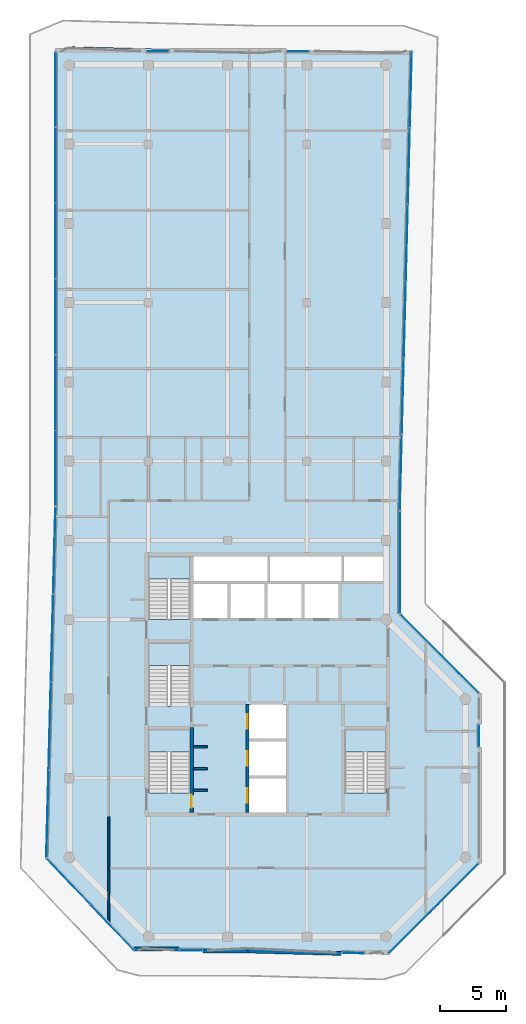
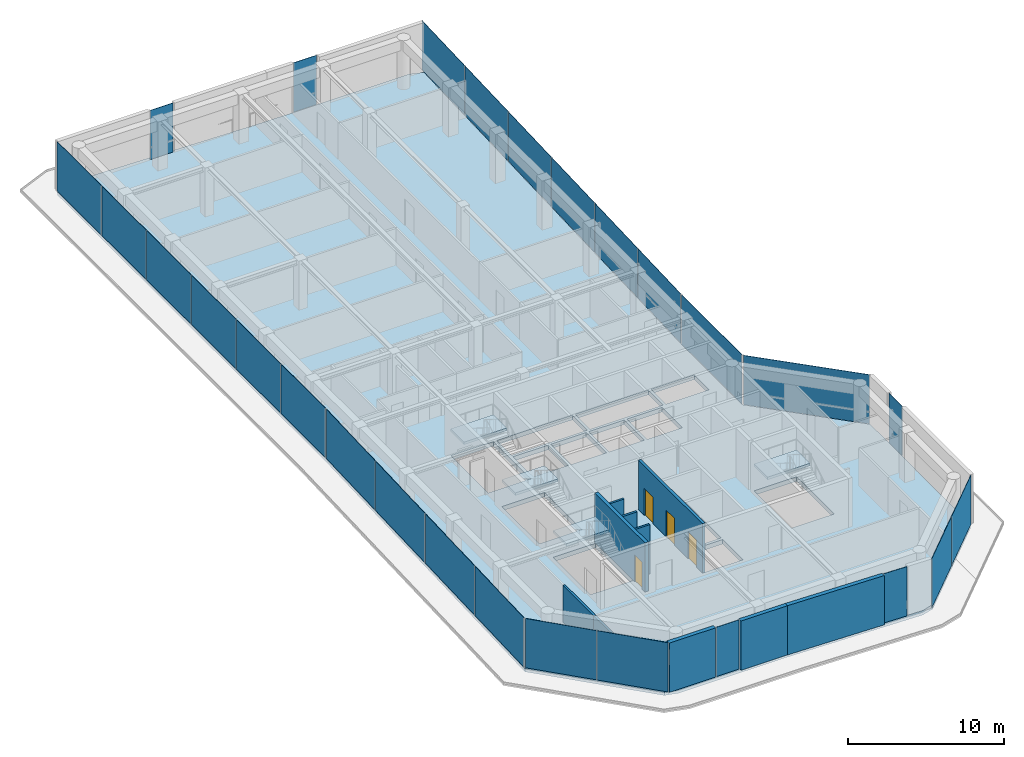
# One storey, part 13 of 18: 27 plates, 10 walls, 5 slabs, 4 doors, 4 openings, 16 elements without a shape of their own.
"""IFC4 building model written with IfcOpenShell, lengths in metres."""

from ifc_helpers import new_model, si_unit, direction, frame, frame_2d, origin, origin_2d, place, context, subcontext, project, spatial, polyline, rectangle, outline, extrude, material, layer, layer_set, type_object, element, fill, aggregate, save


model = new_model("IFC4")

# Units and contexts
model_context = context("Model", 3, precision=1e-05, world=origin(), true_north=direction((0.0, 1.0)))
body_context = subcontext(model_context, "Body", "Model", "MODEL_VIEW")
ifc_project = project(units=[si_unit("LENGTHUNIT", "METRE"), si_unit("AREAUNIT", "SQUARE_METRE"), si_unit("VOLUMEUNIT", "CUBIC_METRE"), si_unit("PLANEANGLEUNIT", "RADIAN"), si_unit("MASSUNIT", "GRAM", prefix="KILO")], contexts=[model_context])

# Site, building, storey
site_placement = place(None, origin())
site = spatial("IfcSite", under=ifc_project, at=site_placement, CompositionType="ELEMENT")
building_placement = place(site_placement, origin())
building = spatial("IfcBuilding", under=site, at=building_placement, Name="Welwitschia Terrace Campus", CompositionType="ELEMENT")
storey_placement = place(building_placement, frame((0.0, 0.0, 281.0)))
storey = spatial("IfcBuildingStorey", under=building, at=storey_placement, Name="L62", CompositionType="ELEMENT", Elevation=281.0)

# Curtain wall, plates
ifc_material_1 = material(Name="Bronze anodised aluminium", Category="aluminium")
ifc_layer_1 = layer(ifc_material_1, 0.1201171875)
ifc_layer_set_1 = layer_set([ifc_layer_1], Name="Bronze anodised aluminium")
curtain_wall_type = type_object("IfcCurtainWallType", Name="Curtain wall CW2 tower 6000", PredefinedType="NOTDEFINED", material=ifc_layer_set_1)
curtain_wall_1_placement = place(storey_placement, origin())
curtain_wall_1 = element("IfcCurtainWall", 1, at=curtain_wall_1_placement, inside=storey, type_object=curtain_wall_type, Name="CW L62.0.0", PredefinedType="NOTDEFINED")
ifc_material_2 = material(Name="Tinted bronze-grey glass", Category="glass")
ifc_layer_2 = layer(ifc_material_2, 0.028076171875)
ifc_layer_set_2 = layer_set([ifc_layer_2], Name="Tinted bronze-grey glass")
plate_type = type_object("IfcPlateType", Name="Glass panel 28 tinted", PredefinedType="CURTAIN_PANEL", material=ifc_layer_set_2)
plate_1_placement = place(storey_placement, frame((-1.030029296875, 60.13525390625, 0.0), z_axis=(0.0, 0.0, 1.0), x_axis=(0.0, -1.0, 0.0)))
plate_1 = element("IfcPlate", 2, at=plate_1_placement, type_object=plate_type, Name="Panel L62.0.0.0", PredefinedType="CURTAIN_PANEL", context=body_context, shape_type="SweptSolid", body=[
    extrude(rectangle(XDim=5.649169921875, YDim=0.028076171875, at=origin_2d()), origin(), (0.0, 0.0, 1.0), 3.85009765625),
])
plate_2_placement = place(storey_placement, frame((-1.030029296875, 54.4111328125, 0.0), z_axis=(0.0, 0.0, 1.0), x_axis=(0.0, -1.0, 0.0)))
plate_2 = element("IfcPlate", 3, at=plate_2_placement, type_object=plate_type, Name="Panel L62.0.0.1", PredefinedType="CURTAIN_PANEL", context=body_context, shape_type="SweptSolid", body=[
    extrude(rectangle(XDim=5.67919921875, YDim=0.028076171875, at=origin_2d()), origin(), (0.0, 0.0, 1.0), 3.85009765625),
])
plate_3_placement = place(storey_placement, frame((-1.030029296875, 48.671875, 0.0), z_axis=(0.0, 0.0, 1.0), x_axis=(0.0, -1.0, 0.0)))
plate_3 = element("IfcPlate", 4, at=plate_3_placement, type_object=plate_type, Name="Panel L62.0.0.2", PredefinedType="CURTAIN_PANEL", context=body_context, shape_type="SweptSolid", body=[
    extrude(rectangle(XDim=5.67919921875, YDim=0.028076171875, at=origin_2d()), origin(), (0.0, 0.0, 1.0), 3.85009765625),
])
plate_4_placement = place(storey_placement, frame((-1.030029296875, 42.9326171875, 0.0), z_axis=(0.0, 0.0, 1.0), x_axis=(0.0, -1.0, 0.0)))
plate_4 = element("IfcPlate", 5, at=plate_4_placement, type_object=plate_type, Name="Panel L62.0.0.3", PredefinedType="CURTAIN_PANEL", context=body_context, shape_type="SweptSolid", body=[
    extrude(rectangle(XDim=5.67919921875, YDim=0.028076171875, at=origin_2d()), origin(), (0.0, 0.0, 1.0), 3.85009765625),
])
plate_5_placement = place(storey_placement, frame((-1.030029296875, 37.193359375, 0.0), z_axis=(0.0, 0.0, 1.0), x_axis=(0.0, -1.0, 0.0)))
plate_5 = element("IfcPlate", 6, at=plate_5_placement, type_object=plate_type, Name="Panel L62.0.0.4", PredefinedType="CURTAIN_PANEL", context=body_context, shape_type="SweptSolid", body=[
    extrude(rectangle(XDim=5.67919921875, YDim=0.028076171875, at=origin_2d()), origin(), (0.0, 0.0, 1.0), 3.85009765625),
])
plate_6_placement = place(storey_placement, frame((-1.030029296875, 31.46923828125, 0.0), z_axis=(0.0, 0.0, 1.0), x_axis=(0.0, -1.0, 0.0)))
plate_6 = element("IfcPlate", 7, at=plate_6_placement, type_object=plate_type, Name="Panel L62.0.0.5", PredefinedType="CURTAIN_PANEL", context=body_context, shape_type="SweptSolid", body=[
    extrude(rectangle(XDim=5.649169921875, YDim=0.028076171875, at=origin_2d()), origin(), (0.0, 0.0, 1.0), 3.85009765625),
])
aggregate(curtain_wall_1, [plate_1, plate_2, plate_3, plate_4, plate_5, plate_6])

curtain_wall_2_placement = place(storey_placement, origin())
curtain_wall_2 = element("IfcCurtainWall", 8, at=curtain_wall_2_placement, inside=storey, type_object=curtain_wall_type, Name="CW L62.1.0", PredefinedType="NOTDEFINED")
plate_7_placement = place(storey_placement, frame((-1.117431640625, 25.243408203125, 0.0), z_axis=(0.0, 0.0, 1.0), x_axis=(-0.026176948308, -0.999657324976, 0.0)))
plate_7 = element("IfcPlate", 9, at=plate_7_placement, type_object=plate_type, Name="Panel L62.1.0.0", PredefinedType="CURTAIN_PANEL", context=body_context, shape_type="SweptSolid", body=[
    extrude(rectangle(XDim=6.564697265625, YDim=0.028076171875, at=origin_2d()), origin(), (0.0, 0.0, 1.0), 3.85009765625),
])
plate_8_placement = place(storey_placement, frame((-1.291259765625, 18.60595703125, 0.0), z_axis=(0.0, 0.0, 1.0), x_axis=(-0.026176948308, -0.999657324976, 0.0)))
plate_8 = element("IfcPlate", 10, at=plate_8_placement, type_object=plate_type, Name="Panel L62.1.0.1", PredefinedType="CURTAIN_PANEL", context=body_context, shape_type="SweptSolid", body=[
    extrude(rectangle(XDim=6.594482421875, YDim=0.028076171875, at=origin_2d()), origin(), (0.0, 0.0, 1.0), 3.85009765625),
])
plate_9_placement = place(storey_placement, frame((-1.465576171875, 11.953857421875, 0.0), z_axis=(0.0, 0.0, 1.0), x_axis=(-0.026176948308, -0.999657324976, 0.0)))
plate_9 = element("IfcPlate", 11, at=plate_9_placement, type_object=plate_type, Name="Panel L62.1.0.2", PredefinedType="CURTAIN_PANEL", context=body_context, shape_type="SweptSolid", body=[
    extrude(rectangle(XDim=6.594482421875, YDim=0.028076171875, at=origin_2d()), origin(), (0.0, 0.0, 1.0), 3.85009765625),
])
plate_10_placement = place(storey_placement, frame((-1.639404296875, 5.31640625, 0.0), z_axis=(0.0, 0.0, 1.0), x_axis=(-0.026176948308, -0.999657324976, 0.0)))
plate_10 = element("IfcPlate", 12, at=plate_10_placement, type_object=plate_type, Name="Panel L62.1.0.3", PredefinedType="CURTAIN_PANEL", context=body_context, shape_type="SweptSolid", body=[
    extrude(rectangle(XDim=6.564697265625, YDim=0.028076171875, at=origin_2d()), origin(), (0.0, 0.0, 1.0), 3.85009765625),
])
aggregate(curtain_wall_2, [plate_7, plate_8, plate_9, plate_10])

curtain_wall_3_placement = place(storey_placement, origin())
curtain_wall_3 = element("IfcCurtainWall", 13, at=curtain_wall_3_placement, inside=storey, type_object=curtain_wall_type, Name="CW L62.2.0", PredefinedType="NOTDEFINED")
plate_11_placement = place(storey_placement, frame((-0.054443359375, 0.213134765625, 0.0), z_axis=(0.0, 0.0, 1.0), x_axis=(0.688354575694, -0.725374371012, 0.0)))
plate_11 = element("IfcPlate", 14, at=plate_11_placement, type_object=plate_type, Name="Panel L62.2.0.0", PredefinedType="CURTAIN_PANEL", context=body_context, shape_type="SweptSolid", body=[
    extrude(rectangle(XDim=4.73876953125, YDim=0.028076171875, at=origin_2d()), origin(), (0.0, 0.0, 1.0), 3.85009765625),
])
plate_12_placement = place(storey_placement, frame((3.248779296875, -3.267822265625, 0.0), z_axis=(0.0, 0.0, 1.0), x_axis=(0.688354575694, -0.725374371012, 0.0)))
plate_12 = element("IfcPlate", 15, at=plate_12_placement, type_object=plate_type, Name="Panel L62.2.0.1", PredefinedType="CURTAIN_PANEL", context=body_context, shape_type="SweptSolid", body=[
    extrude(rectangle(XDim=4.73876953125, YDim=0.028076171875, at=origin_2d()), origin(), (0.0, 0.0, 1.0), 3.85009765625),
])
aggregate(curtain_wall_3, [plate_11, plate_12])

# Curtain wall, plate
curtain_wall_4_placement = place(storey_placement, origin())
curtain_wall_4 = element("IfcCurtainWall", 16, at=curtain_wall_4_placement, inside=storey, type_object=curtain_wall_type, Name="CW L62.3.S0", PredefinedType="NOTDEFINED")
plate_13_placement = place(storey_placement, frame((9.228271484375, -5.030029296875, 0.0), z_axis=(0.0, 0.0, 1.0), x_axis=(1.0, 0.0, 0.0)))
plate_13 = element("IfcPlate", 17, at=plate_13_placement, type_object=plate_type, Name="Panel L62.3.S0.0", PredefinedType="CURTAIN_PANEL", context=body_context, shape_type="SweptSolid", body=[
    extrude(rectangle(XDim=1.679931640625, YDim=0.028076171875, at=origin_2d()), origin(), (0.0, 0.0, 1.0), 3.85009765625),
])
aggregate(curtain_wall_4, [plate_13])

curtain_wall_5_placement = place(storey_placement, origin())
curtain_wall_5 = element("IfcCurtainWall", 18, at=curtain_wall_5_placement, inside=storey, type_object=curtain_wall_type, Name="CW L62.4.S0", PredefinedType="NOTDEFINED")
plate_14_placement = place(storey_placement, frame((21.495361328125, -5.238525390625, 0.0), z_axis=(0.0, 0.0, 1.0), x_axis=(0.999657324976, -0.026176948308, 0.0)))
plate_14 = element("IfcPlate", 19, at=plate_14_placement, type_object=plate_type, Name="Panel L62.4.S0.0", PredefinedType="CURTAIN_PANEL", context=body_context, shape_type="SweptSolid", body=[
    extrude(rectangle(XDim=1.679931640625, YDim=0.028076171875, at=origin_2d()), origin(), (0.0, 0.0, 1.0), 3.85009765625),
])
aggregate(curtain_wall_5, [plate_14])

# Curtain wall, plates
curtain_wall_6_placement = place(storey_placement, origin())
curtain_wall_6 = element("IfcCurtainWall", 20, at=curtain_wall_6_placement, inside=storey, type_object=curtain_wall_type, Name="CW L62.5.0", PredefinedType="NOTDEFINED")
plate_15_placement = place(storey_placement, frame((25.879638671875, -3.576904296875, 0.0), z_axis=(0.0, 0.0, 1.0), x_axis=(0.707106781187, 0.707106781187, 0.0)))
plate_15 = element("IfcPlate", 21, at=plate_15_placement, type_object=plate_type, Name="Panel L62.5.0.0", PredefinedType="CURTAIN_PANEL", context=body_context, shape_type="SweptSolid", body=[
    extrude(rectangle(XDim=4.77587890625, YDim=0.028076171875, at=origin_2d()), origin(), (0.0, 0.0, 1.0), 3.85009765625),
])
plate_16_placement = place(storey_placement, frame((29.299072265625, -0.157470703125, 0.0), z_axis=(0.0, 0.0, 1.0), x_axis=(0.707106781187, 0.707106781187, 0.0)))
plate_16 = element("IfcPlate", 22, at=plate_16_placement, type_object=plate_type, Name="Panel L62.5.0.1", PredefinedType="CURTAIN_PANEL", context=body_context, shape_type="SweptSolid", body=[
    extrude(rectangle(XDim=4.77587890625, YDim=0.028076171875, at=origin_2d()), origin(), (0.0, 0.0, 1.0), 3.85009765625),
])
aggregate(curtain_wall_6, [plate_15, plate_16])

# Curtain wall, plate
curtain_wall_7_placement = place(storey_placement, origin())
curtain_wall_7 = element("IfcCurtainWall", 23, at=curtain_wall_7_placement, inside=storey, type_object=curtain_wall_type, Name="CW L62.6.S0", PredefinedType="NOTDEFINED")
plate_17_placement = place(storey_placement, frame((31.030029296875, 11.21337890625, 0.0), z_axis=(0.0, 0.0, 1.0), x_axis=(0.0, 1.0, 0.0)))
plate_17 = element("IfcPlate", 24, at=plate_17_placement, type_object=plate_type, Name="Panel L62.6.S0.0", PredefinedType="CURTAIN_PANEL", context=body_context, shape_type="SweptSolid", body=[
    extrude(rectangle(XDim=1.679931640625, YDim=0.028076171875, at=origin_2d()), origin(), (0.0, 0.0, 1.0), 3.85009765625),
])
aggregate(curtain_wall_7, [plate_17])

curtain_wall_8_placement = place(storey_placement, origin())
curtain_wall_8 = element("IfcCurtainWall", 25, at=curtain_wall_8_placement, inside=storey, type_object=curtain_wall_type, Name="CW L62.7.0", PredefinedType="NOTDEFINED")
plate_18_placement = place(storey_placement, frame((28.030029296875, 17.4267578125, 0.0), z_axis=(0.0, 0.0, 1.0), x_axis=(-0.707106781187, 0.707106781187, 0.0)))
plate_18 = element("IfcPlate", 26, at=plate_18_placement, type_object=plate_type, Name="Panel L62.7.0.0", PredefinedType="CURTAIN_PANEL", context=body_context, shape_type="SweptSolid", body=[
    extrude(rectangle(XDim=8.365234375, YDim=0.028076171875, at=origin_2d()), origin(), (0.0, 0.0, 1.0), 3.85009765625),
])
aggregate(curtain_wall_8, [plate_18])

curtain_wall_9_placement = place(storey_placement, origin())
curtain_wall_9 = element("IfcCurtainWall", 27, at=curtain_wall_9_placement, inside=storey, type_object=curtain_wall_type, Name="CW L62.8.0", PredefinedType="NOTDEFINED")
plate_19_placement = place(storey_placement, frame((25.030029296875, 24.3349609375, 0.0), z_axis=(0.0, 0.0, 1.0), x_axis=(0.0, 1.0, 0.0)))
plate_19 = element("IfcPlate", 28, at=plate_19_placement, type_object=plate_type, Name="Panel L62.8.0.0", PredefinedType="CURTAIN_PANEL", context=body_context, shape_type="SweptSolid", body=[
    extrude(rectangle(XDim=7.69677734375, YDim=0.028076171875, at=origin_2d()), origin(), (0.0, 0.0, 1.0), 3.85009765625),
])
aggregate(curtain_wall_9, [plate_19])

# Curtain wall, plates
curtain_wall_10_placement = place(storey_placement, origin())
curtain_wall_10 = element("IfcCurtainWall", 29, at=curtain_wall_10_placement, inside=storey, type_object=curtain_wall_type, Name="CW L62.9.0", PredefinedType="NOTDEFINED")
plate_20_placement = place(storey_placement, frame((25.106201171875, 31.1572265625, 0.0), z_axis=(0.0, 0.0, 1.0), x_axis=(0.026176948308, 0.999657324976, 0.0)))
plate_20 = element("IfcPlate", 30, at=plate_20_placement, type_object=plate_type, Name="Panel L62.9.0.0", PredefinedType="CURTAIN_PANEL", context=body_context, shape_type="SweptSolid", body=[
    extrude(rectangle(XDim=5.709716796875, YDim=0.028076171875, at=origin_2d()), origin(), (0.0, 0.0, 1.0), 3.85009765625),
])
plate_21_placement = place(storey_placement, frame((25.2578125, 36.93994140625, 0.0), z_axis=(0.0, 0.0, 1.0), x_axis=(0.026176948308, 0.999657324976, 0.0)))
plate_21 = element("IfcPlate", 31, at=plate_21_placement, type_object=plate_type, Name="Panel L62.9.0.1", PredefinedType="CURTAIN_PANEL", context=body_context, shape_type="SweptSolid", body=[
    extrude(rectangle(XDim=5.73974609375, YDim=0.028076171875, at=origin_2d()), origin(), (0.0, 0.0, 1.0), 3.85009765625),
])
plate_22_placement = place(storey_placement, frame((25.40966796875, 42.73779296875, 0.0), z_axis=(0.0, 0.0, 1.0), x_axis=(0.026176948308, 0.999657324976, 0.0)))
plate_22 = element("IfcPlate", 32, at=plate_22_placement, type_object=plate_type, Name="Panel L62.9.0.2", PredefinedType="CURTAIN_PANEL", context=body_context, shape_type="SweptSolid", body=[
    extrude(rectangle(XDim=5.73974609375, YDim=0.028076171875, at=origin_2d()), origin(), (0.0, 0.0, 1.0), 3.85009765625),
])
plate_23_placement = place(storey_placement, frame((25.561279296875, 48.53564453125, 0.0), z_axis=(0.0, 0.0, 1.0), x_axis=(0.026176948308, 0.999657324976, 0.0)))
plate_23 = element("IfcPlate", 33, at=plate_23_placement, type_object=plate_type, Name="Panel L62.9.0.3", PredefinedType="CURTAIN_PANEL", context=body_context, shape_type="SweptSolid", body=[
    extrude(rectangle(XDim=5.73974609375, YDim=0.028076171875, at=origin_2d()), origin(), (0.0, 0.0, 1.0), 3.85009765625),
])
plate_24_placement = place(storey_placement, frame((25.713134765625, 54.333251953125, 0.0), z_axis=(0.0, 0.0, 1.0), x_axis=(0.026176948308, 0.999657324976, 0.0)))
plate_24 = element("IfcPlate", 34, at=plate_24_placement, type_object=plate_type, Name="Panel L62.9.0.4", PredefinedType="CURTAIN_PANEL", context=body_context, shape_type="SweptSolid", body=[
    extrude(rectangle(XDim=5.73974609375, YDim=0.028076171875, at=origin_2d()), origin(), (0.0, 0.0, 1.0), 3.85009765625),
])
plate_25_placement = place(storey_placement, frame((25.864501953125, 60.1162109375, 0.0), z_axis=(0.0, 0.0, 1.0), x_axis=(0.026176948308, 0.999657324976, 0.0)))
plate_25 = element("IfcPlate", 35, at=plate_25_placement, type_object=plate_type, Name="Panel L62.9.0.5", PredefinedType="CURTAIN_PANEL", context=body_context, shape_type="SweptSolid", body=[
    extrude(rectangle(XDim=5.709716796875, YDim=0.028076171875, at=origin_2d()), origin(), (0.0, 0.0, 1.0), 3.85009765625),
])
aggregate(curtain_wall_10, [plate_20, plate_21, plate_22, plate_23, plate_24, plate_25])

# Curtain wall, plate
curtain_wall_11_placement = place(storey_placement, origin())
curtain_wall_11 = element("IfcCurtainWall", 36, at=curtain_wall_11_placement, inside=storey, type_object=curtain_wall_type, Name="CW L62.10.S0", PredefinedType="NOTDEFINED")
plate_26_placement = place(storey_placement, frame((17.30517578125, 63.030029296875, 0.0), z_axis=(0.0, 0.0, 1.0), x_axis=(-1.0, 0.0, 0.0)))
plate_26 = element("IfcPlate", 37, at=plate_26_placement, type_object=plate_type, Name="Panel L62.10.S0.0", PredefinedType="CURTAIN_PANEL", context=body_context, shape_type="SweptSolid", body=[
    extrude(rectangle(XDim=1.679931640625, YDim=0.028076171875, at=origin_2d()), origin(), (0.0, 0.0, 1.0), 3.85009765625),
])
aggregate(curtain_wall_11, [plate_26])

curtain_wall_12_placement = place(storey_placement, origin())
curtain_wall_12 = element("IfcCurtainWall", 38, at=curtain_wall_12_placement, inside=storey, type_object=curtain_wall_type, Name="CW L62.11.S0", PredefinedType="NOTDEFINED")
plate_27_placement = place(storey_placement, frame((6.6982421875, 63.02490234375, 0.0), z_axis=(0.0, 0.0, 1.0), x_axis=(-0.999999790341, -0.000647547214, 0.0)))
plate_27 = element("IfcPlate", 39, at=plate_27_placement, type_object=plate_type, Name="Panel L62.11.S0.0", PredefinedType="CURTAIN_PANEL", context=body_context, shape_type="SweptSolid", body=[
    extrude(rectangle(XDim=1.679931640625, YDim=0.028076171875, at=origin_2d()), origin(), (0.0, 0.0, 1.0), 3.85009765625),
])
aggregate(curtain_wall_12, [plate_27])

# Stair, slab
ifc_material_3 = material(Name="Concrete C40/50", Category="concrete")
stair_type = type_object("IfcStairType", Name="Stair 24R 175 W1500", PredefinedType="HALF_TURN_STAIR", material=ifc_material_3)
stair_1_placement = place(storey_placement, origin())
stair_1 = element("IfcStair", 40, at=stair_1_placement, inside=storey, type_object=stair_type, Name="L62 Exit stair S1", PredefinedType="HALF_TURN_STAIR")
ifc_material_4 = material(Name="Concrete C40/50", Category="concrete")
ifc_layer_3 = layer(ifc_material_4, 0.199951171875)
ifc_layer_set_3 = layer_set([ifc_layer_3], Name="Concrete C40/50")
slab_type_1 = type_object("IfcSlabType", Name="Stair landing RC", PredefinedType="LANDING", material=ifc_layer_set_3)
slab_1_placement = place(storey_placement, frame((0.0, 0.0, 1.89990234375)))
slab_1 = element("IfcSlab", 41, at=slab_1_placement, type_object=slab_type_1, Name="S1 landing 1", PredefinedType="LANDING", context=body_context, shape_type="SweptSolid", body=[
    extrude(outline(polyline([(9.14990234375, 9.97998046875), (9.14990234375, 11.699951171875), (6.0, 11.699951171875), (6.0, 9.97998046875), (9.14990234375, 9.97998046875)])), origin(), (0.0, 0.0, 1.0), 0.2001953125),
])
aggregate(stair_1, [slab_1])

stair_2_placement = place(storey_placement, origin())
stair_2 = element("IfcStair", 42, at=stair_2_placement, inside=storey, type_object=stair_type, Name="L62 Exit stair S3", PredefinedType="HALF_TURN_STAIR")
slab_2_placement = place(storey_placement, frame((0.0, 0.0, 1.89990234375)))
slab_2 = element("IfcSlab", 43, at=slab_2_placement, type_object=slab_type_1, Name="S3 landing 1", PredefinedType="LANDING", context=body_context, shape_type="SweptSolid", body=[
    extrude(outline(polyline([(9.14990234375, 16.530029296875), (9.14990234375, 18.25), (6.0, 18.25), (6.0, 16.530029296875), (9.14990234375, 16.530029296875)])), origin(), (0.0, 0.0, 1.0), 0.2001953125),
])
aggregate(stair_2, [slab_2])

stair_3_placement = place(storey_placement, origin())
stair_3 = element("IfcStair", 44, at=stair_3_placement, inside=storey, type_object=stair_type, Name="L62 Exit stair S4", PredefinedType="HALF_TURN_STAIR")
slab_3_placement = place(storey_placement, frame((0.0, 0.0, 1.89990234375)))
slab_3 = element("IfcSlab", 45, at=slab_3_placement, type_object=slab_type_1, Name="S4 landing 1", PredefinedType="LANDING", context=body_context, shape_type="SweptSolid", body=[
    extrude(outline(polyline([(9.14990234375, 23.080078125), (9.14990234375, 24.800048828125), (6.0, 24.800048828125), (6.0, 23.080078125), (9.14990234375, 23.080078125)])), origin(), (0.0, 0.0, 1.0), 0.2001953125),
])
aggregate(stair_3, [slab_3])

stair_4_placement = place(storey_placement, origin())
stair_4 = element("IfcStair", 46, at=stair_4_placement, inside=storey, type_object=stair_type, Name="L62 Exit stair S2", PredefinedType="HALF_TURN_STAIR")
slab_4_placement = place(storey_placement, frame((0.0, 0.0, 1.89990234375)))
slab_4 = element("IfcSlab", 47, at=slab_4_placement, type_object=slab_type_1, Name="S2 landing 1", PredefinedType="LANDING", context=body_context, shape_type="SweptSolid", body=[
    extrude(outline(polyline([(24.0, 9.97998046875), (24.0, 11.699951171875), (20.85009765625, 11.699951171875), (20.85009765625, 9.97998046875), (24.0, 9.97998046875)])), origin(), (0.0, 0.0, 1.0), 0.2001953125),
])
aggregate(stair_4, [slab_4])

# Slab
ifc_material_5 = material(Name="Concrete C40/50", Category="concrete")
ifc_layer_4 = layer(ifc_material_5, 0.35009765625)
ifc_layer_set_4 = layer_set([ifc_layer_4], Name="Concrete C40/50")
slab_type_2 = type_object("IfcSlabType", Name="Suspended floor slab 350", PredefinedType="FLOOR", material=ifc_layer_set_4)
slab_5_placement = place(storey_placement, frame((0.0, 0.0, -0.35009765625)))
element("IfcSlab", 48, at=slab_5_placement, inside=storey, type_object=slab_type_2, Name="Floor slab L62", PredefinedType="FLOOR", context=body_context, shape_type="SweptSolid", body=[
    extrude(outline(polyline([(-0.0888671875, 63.380126953125), (14.426025390625, 63.0), (25.0, 63.0), (25.90234375, 62.699462890625), (25.0, 28.24365234375), (25.0, 20.414306640625), (31.0, 14.414306640625), (31.0, 1.585693359375), (24.414306640625, -5.0), (23.53662109375, -5.261962890625), (13.535888671875, -5.0), (5.585693359375, -5.0), (4.714599609375, -4.76904296875), (-1.696533203125, 1.98681640625), (-1.0, 28.584228515625), (-1.0, 63.0), (-0.0888671875, 63.380126953125)]), holes=[polyline([(13.60009765625, 8.0), (13.60009765625, 5.39990234375), (16.39990234375, 5.39990234375), (16.39990234375, 8.0), (13.60009765625, 8.0)]), polyline([(9.14990234375, 11.699951171875), (6.0, 11.699951171875), (6.0, 6.902099609375), (9.14990234375, 6.902099609375), (9.14990234375, 11.699951171875)]), polyline([(9.14990234375, 18.25), (6.0, 18.25), (6.0, 13.451904296875), (9.14990234375, 13.451904296875), (9.14990234375, 18.25)]), polyline([(12.0, 22.699951171875), (9.39990234375, 22.699951171875), (9.39990234375, 20.10009765625), (12.0, 20.10009765625), (12.0, 22.699951171875)]), polyline([(14.800048828125, 22.699951171875), (12.199951171875, 22.699951171875), (12.199951171875, 20.10009765625), (14.800048828125, 20.10009765625), (14.800048828125, 22.699951171875)]), polyline([(9.14990234375, 24.800048828125), (6.0, 24.800048828125), (6.0, 20.001953125), (9.14990234375, 20.001953125), (9.14990234375, 24.800048828125)]), polyline([(15.0, 24.800048828125), (9.39990234375, 24.800048828125), (9.39990234375, 22.89990234375), (15.0, 22.89990234375), (15.0, 24.800048828125)]), polyline([(20.85009765625, 11.699951171875), (20.85009765625, 6.902099609375), (24.0, 6.902099609375), (24.0, 11.699951171875), (20.85009765625, 11.699951171875)]), polyline([(16.39990234375, 10.800048828125), (13.60009765625, 10.800048828125), (13.60009765625, 8.199951171875), (16.39990234375, 8.199951171875), (16.39990234375, 10.800048828125)]), polyline([(16.39990234375, 13.60009765625), (13.60009765625, 13.60009765625), (13.60009765625, 11.0), (16.39990234375, 11.0), (16.39990234375, 13.60009765625)]), polyline([(17.60009765625, 22.699951171875), (15.0, 22.699951171875), (15.0, 20.10009765625), (17.60009765625, 20.10009765625), (17.60009765625, 22.699951171875)]), polyline([(20.39990234375, 22.699951171875), (17.800048828125, 22.699951171875), (17.800048828125, 20.10009765625), (20.39990234375, 20.10009765625), (20.39990234375, 22.699951171875)]), polyline([(20.60009765625, 24.800048828125), (15.199951171875, 24.800048828125), (15.199951171875, 22.89990234375), (20.60009765625, 22.89990234375), (20.60009765625, 24.800048828125)]), polyline([(24.0, 24.800048828125), (20.800048828125, 24.800048828125), (20.800048828125, 22.89990234375), (24.0, 22.89990234375), (24.0, 24.800048828125)])]), origin(), (0.0, 0.0, 1.0), 0.35009765625),
])

# Walls
ifc_material_6 = material(Name="Concrete C50/60", Category="concrete")
ifc_layer_5 = layer(ifc_material_6, 0.14990234375)
ifc_layer_set_5 = layer_set([ifc_layer_5], Name="Concrete C50/60")
wall_type_1 = type_object("IfcWallType", Name="Core wall 150 Concrete C50/60", PredefinedType="SHEAR", material=ifc_layer_set_5)
for number, where, z_axis, x_axis, name in (
    (49, (9.39990234375, 7.074951171875, 0.0), (0.0, 0.0, 1.0), (1.0, 0.0, 0.0), "Core wall"),
    (50, (9.39990234375, 8.72509765625, 0.0), (0.0, 0.0, 1.0), (1.0, 0.0, 0.0), "Core wall"),
    (51, (9.39990234375, 10.375, 0.0), (0.0, 0.0, 1.0), (1.0, 0.0, 0.0), "Core wall"),
):
    element("IfcWall", number, at=place(storey_placement, frame(where, z_axis=z_axis, x_axis=x_axis)), inside=storey, type_object=wall_type_1, Name=name, PredefinedType="SHEAR", context=body_context, shape_type="SweptSolid", body=[
        extrude(rectangle(XDim=1.050048828125, YDim=0.14990234375, at=frame_2d((0.52490234375, 0.0))), origin(), (0.0, 0.0, 1.0), 3.85009765625),
    ])

# Wall, openings, doors
ifc_material_7 = material(Name="Concrete C50/60", Category="concrete")
ifc_layer_6 = layer(ifc_material_7, 0.199951171875)
ifc_layer_set_6 = layer_set([ifc_layer_6], Name="Concrete C50/60")
wall_type_2 = type_object("IfcWallType", Name="Core wall 200 Concrete C50/60", PredefinedType="SHEAR", material=ifc_layer_set_6)
wall_1_placement = place(storey_placement, frame((13.5, 5.39990234375, 0.0), z_axis=(0.0, 0.0, 1.0), x_axis=(0.0, 1.0, 0.0)))
wall_1 = element("IfcWall", 52, at=wall_1_placement, inside=storey, type_object=wall_type_2, Name="Core wall", PredefinedType="SHEAR", context=body_context, shape_type="SweptSolid", body=[
    extrude(rectangle(XDim=8.2001953125, YDim=0.199951171875, at=frame_2d((4.10009765625, 0.0))), origin(), (0.0, 0.0, 1.0), 3.85009765625),
])
opening_1_placement = place(wall_1_placement, frame((0.75, 0.0, 0.0)))
opening_1 = element("IfcOpeningElement", 53, at=opening_1_placement, cuts=wall_1, Name="Opening LD", PredefinedType="OPENING", context=body_context, shape_type="SweptSolid", body=[
    extrude(rectangle(XDim=1.10009765625, YDim=2.10009765625, at=frame_2d((0.550048828125, 1.050048828125))), frame((0.0, 0.10986328125, 0.0), z_axis=(0.0, -1.0, 0.0), x_axis=(1.0, 0.0, 0.0)), (0.0, 0.0, 1.0), 0.219970703125),
])
opening_2_placement = place(wall_1_placement, frame((3.550048828125, 0.0, 0.0)))
opening_2 = element("IfcOpeningElement", 54, at=opening_2_placement, cuts=wall_1, Name="Opening LD", PredefinedType="OPENING", context=body_context, shape_type="SweptSolid", body=[
    extrude(rectangle(XDim=1.10009765625, YDim=2.10009765625, at=frame_2d((0.550048828125, 1.050048828125))), frame((0.0, 0.10986328125, 0.0), z_axis=(0.0, -1.0, 0.0), x_axis=(1.0, 0.0, 0.0)), (0.0, 0.0, 1.0), 0.219970703125),
])
opening_3_placement = place(wall_1_placement, frame((6.35009765625, 0.0, 0.0)))
opening_3 = element("IfcOpeningElement", 55, at=opening_3_placement, cuts=wall_1, Name="Opening LD", PredefinedType="OPENING", context=body_context, shape_type="SweptSolid", body=[
    extrude(rectangle(XDim=1.10009765625, YDim=2.10009765625, at=frame_2d((0.550048828125, 1.050048828125))), frame((0.0, 0.10986328125, 0.0), z_axis=(0.0, -1.0, 0.0), x_axis=(1.0, 0.0, 0.0)), (0.0, 0.0, 1.0), 0.219970703125),
])
ifc_material_8 = material(Name="Stainless steel 304", Category="steel")
door_type_1 = type_object("IfcDoorType", Name="Lift landing door", OperationType="DOUBLE_DOOR_SLIDING", PredefinedType="DOOR", material=ifc_material_8)
door_1_placement = place(opening_1_placement, origin())
door_1 = element("IfcDoor", 56, at=door_1_placement, inside=storey, type_object=door_type_1, Name="Landing door FF1", OperationType="DOUBLE_DOOR_SLIDING", OverallHeight=2.10009765625, OverallWidth=1.10009765625, PredefinedType="DOOR", context=body_context, shape_type="SweptSolid", body=[
    extrude(rectangle(XDim=1.10009765625, YDim=2.10009765625, at=frame_2d((0.550048828125, 1.050048828125))), frame((0.0, 0.02490234375, 0.0), z_axis=(0.0, -1.0, 0.0), x_axis=(1.0, 0.0, 0.0)), (0.0, 0.0, 1.0), 0.050048828125),
])
fill(opening_1, door_1)
door_2_placement = place(opening_2_placement, origin())
door_2 = element("IfcDoor", 57, at=door_2_placement, inside=storey, type_object=door_type_1, Name="Landing door FF2", OperationType="DOUBLE_DOOR_SLIDING", OverallHeight=2.10009765625, OverallWidth=1.10009765625, PredefinedType="DOOR", context=body_context, shape_type="SweptSolid", body=[
    extrude(rectangle(XDim=1.10009765625, YDim=2.10009765625, at=frame_2d((0.550048828125, 1.050048828125))), frame((0.0, 0.02490234375, 0.0), z_axis=(0.0, -1.0, 0.0), x_axis=(1.0, 0.0, 0.0)), (0.0, 0.0, 1.0), 0.050048828125),
])
fill(opening_2, door_2)
door_3_placement = place(opening_3_placement, origin())
door_3 = element("IfcDoor", 58, at=door_3_placement, inside=storey, type_object=door_type_1, Name="Landing door SV1", OperationType="DOUBLE_DOOR_SLIDING", OverallHeight=2.10009765625, OverallWidth=1.10009765625, PredefinedType="DOOR", context=body_context, shape_type="SweptSolid", body=[
    extrude(rectangle(XDim=1.10009765625, YDim=2.10009765625, at=frame_2d((0.550048828125, 1.050048828125))), frame((0.0, 0.02490234375, 0.0), z_axis=(0.0, -1.0, 0.0), x_axis=(1.0, 0.0, 0.0)), (0.0, 0.0, 1.0), 0.050048828125),
])
fill(opening_3, door_3)

# Wall, opening, door
ifc_material_9 = material(Name="Concrete C50/60", Category="concrete")
ifc_layer_7 = layer(ifc_material_9, 0.25)
ifc_layer_set_7 = layer_set([ifc_layer_7], Name="Concrete C50/60")
wall_type_3 = type_object("IfcWallType", Name="Core wall 250 Concrete C50/60", PredefinedType="SHEAR", material=ifc_layer_set_7)
wall_2_placement = place(storey_placement, frame((9.27490234375, 11.824951171875, 0.0), z_axis=(0.0, 0.0, 1.0), x_axis=(0.0, -1.0, 0.0)))
wall_2 = element("IfcWall", 59, at=wall_2_placement, inside=storey, type_object=wall_type_3, Name="Core wall", PredefinedType="SHEAR", context=body_context, shape_type="SweptSolid", body=[
    extrude(rectangle(XDim=6.425048828125, YDim=0.25, at=frame_2d((3.21240234375, 0.0))), origin(), (0.0, 0.0, 1.0), 3.85009765625),
])
opening_4_placement = place(wall_2_placement, frame((5.074951171875, 0.0, 0.0)))
opening_4 = element("IfcOpeningElement", 60, at=opening_4_placement, cuts=wall_2, Name="Opening DS10", PredefinedType="OPENING", context=body_context, shape_type="SweptSolid", body=[
    extrude(rectangle(XDim=1.0, YDim=2.10009765625, at=frame_2d((0.5, 1.050048828125))), frame((0.0, 0.135009765625, 0.0), z_axis=(0.0, -1.0, 0.0), x_axis=(1.0, 0.0, 0.0)), (0.0, 0.0, 1.0), 0.27001953125),
])
ifc_material_10 = material(Name="Steel S275", Category="steel")
door_type_2 = type_object("IfcDoorType", Name="Core door DS10", OperationType="SINGLE_SWING_LEFT", PredefinedType="DOOR", material=ifc_material_10)
door_4_placement = place(opening_4_placement, origin())
door_4 = element("IfcDoor", 61, at=door_4_placement, inside=storey, type_object=door_type_2, Name="Door S1-FL", OperationType="SINGLE_SWING_RIGHT", OverallHeight=2.10009765625, OverallWidth=1.0, PredefinedType="DOOR", context=body_context, shape_type="SweptSolid", body=[
    extrude(rectangle(XDim=1.0, YDim=2.10009765625, at=frame_2d((0.5, 1.050048828125))), frame((0.0, 0.02490234375, 0.0), z_axis=(0.0, -1.0, 0.0), x_axis=(1.0, 0.0, 0.0)), (0.0, 0.0, 1.0), 0.050048828125),
])
fill(opening_4, door_4)

# Walls
ifc_material_11 = material(Name="Gypsum board on steel studs", Category="steel")
ifc_layer_8 = layer(ifc_material_11, 0.14990234375)
ifc_layer_set_8 = layer_set([ifc_layer_8], Name="Gypsum board on steel studs")
wall_type_4 = type_object("IfcWallType", Name="Corridor partition 150 EI 30", PredefinedType="PARTITIONING", material=ifc_layer_set_8)
wall_3_placement = place(storey_placement, frame((3.0, -2.929931640625, 0.0), z_axis=(0.0, 0.0, 1.0), x_axis=(0.0, 1.0, 0.0)))
element("IfcWall", 62, at=wall_3_placement, inside=storey, type_object=wall_type_4, Name="Partition", PredefinedType="PARTITIONING", context=body_context, shape_type="SweptSolid", body=[
    extrude(rectangle(XDim=4.1298828125, YDim=0.14990234375, at=frame_2d((2.06494140625, 0.0))), origin(), (0.0, 0.0, 1.0), 2.89990234375),
])
wall_4_placement = place(storey_placement, frame((3.0, 1.199951171875, 0.0), z_axis=(0.0, 0.0, 1.0), x_axis=(0.0, 1.0, 0.0)))
element("IfcWall", 63, at=wall_4_placement, inside=storey, type_object=wall_type_4, Name="Partition", PredefinedType="PARTITIONING", context=body_context, shape_type="SweptSolid", body=[
    extrude(rectangle(XDim=3.900146484375, YDim=0.14990234375, at=frame_2d((1.9501953125, 0.0))), origin(), (0.0, 0.0, 1.0), 2.89990234375),
])
ifc_material_12 = material(Name="Concrete C40/50", Category="concrete")
ifc_layer_9 = layer(ifc_material_12, 0.300048828125)
ifc_layer_set_9 = layer_set([ifc_layer_9], Name="Concrete C40/50")
wall_type_5 = type_object("IfcWallType", Name="Mass wall 300", PredefinedType="SOLIDWALL", material=ifc_layer_set_9)
wall_5_placement = place(storey_placement, frame((4.9208984375, -4.91748046875, 0.0), z_axis=(0.0, 0.0, 1.0), x_axis=(1.0, 0.0, 0.0)))
element("IfcWall", 64, at=wall_5_placement, inside=storey, type_object=wall_type_5, Name="Mass wall L62.3.0", PredefinedType="SOLIDWALL", context=body_context, shape_type="SweptSolid", body=[
    extrude(rectangle(XDim=3.407470703125, YDim=0.300048828125, at=frame_2d((1.70361328125, 0.0))), origin(), (0.0, 0.0, 1.0), 3.85009765625),
])
wall_6_placement = place(storey_placement, frame((10.12841796875, -5.080078125, 0.0), z_axis=(0.0, 0.0, 1.0), x_axis=(1.0, 0.0, 0.0)))
element("IfcWall", 65, at=wall_6_placement, inside=storey, type_object=wall_type_5, Name="Mass wall L62.3.1", PredefinedType="SOLIDWALL", context=body_context, shape_type="SweptSolid", body=[
    extrude(rectangle(XDim=3.406982421875, YDim=0.300048828125, at=frame_2d((1.70361328125, 0.0))), origin(), (0.0, 0.0, 1.0), 3.85009765625),
])
wall_7_placement = place(storey_placement, frame((13.5341796875, -5.080078125, 0.0), z_axis=(0.0, 0.0, 1.0), x_axis=(0.999657569766, -0.026167598475, 0.0)))
element("IfcWall", 66, at=wall_7_placement, inside=storey, type_object=wall_type_5, Name="Mass wall L62.4.0", PredefinedType="SOLIDWALL", context=body_context, shape_type="SweptSolid", body=[
    extrude(rectangle(XDim=7.062744140625, YDim=0.300048828125, at=frame_2d((3.53125, 0.0))), origin(), (0.0, 0.0, 1.0), 3.85009765625),
])

save(model, "model.ifc")
